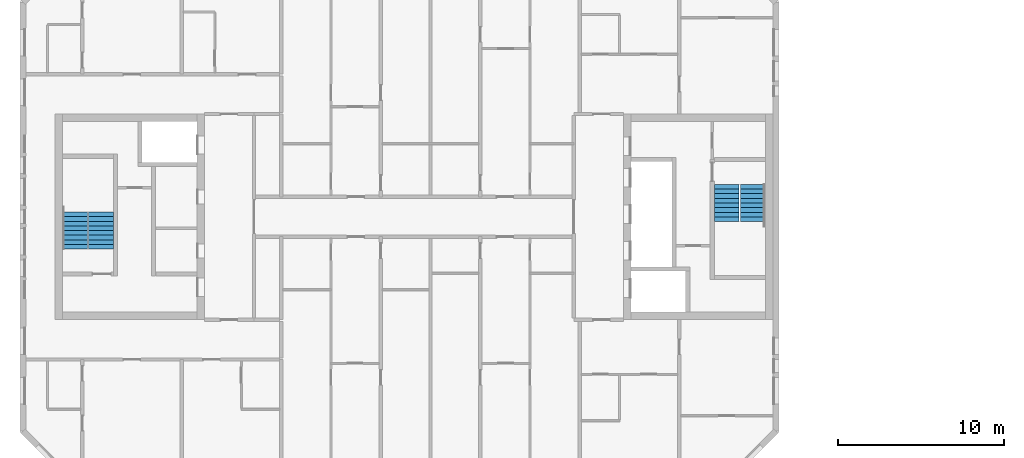
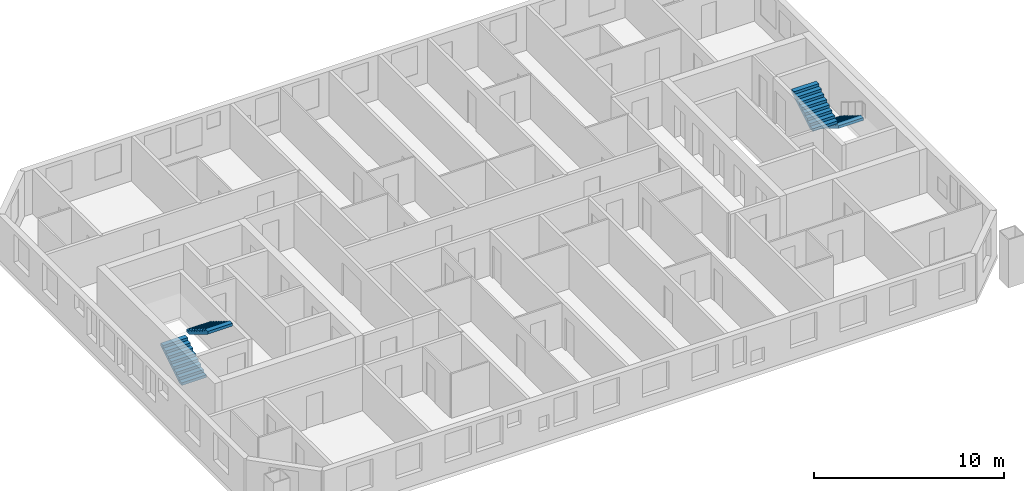
# One storey, part 14 of 15: 4 stair flights, 2 elements without a shape of their own.
"""IFC4 building model written with IfcOpenShell, lengths in metres."""

from ifc_helpers import new_model, si_unit, direction, frame, origin, place, context, subcontext, project, spatial, faceted_brep, material, type_object, element, aggregate, save


model = new_model("IFC4")

# Units and contexts
model_context = context("Model", 3, precision=1e-05, world=origin(), true_north=direction((0.0, 1.0)))
body_context = subcontext(model_context, "Body", "Model", "MODEL_VIEW")
ifc_project = project(units=[si_unit("LENGTHUNIT", "METRE"), si_unit("AREAUNIT", "SQUARE_METRE"), si_unit("VOLUMEUNIT", "CUBIC_METRE"), si_unit("PLANEANGLEUNIT", "RADIAN"), si_unit("MASSUNIT", "GRAM", prefix="KILO")], contexts=[model_context])

# Site, building, storey
site_placement = place(None, origin())
site = spatial("IfcSite", under=ifc_project, at=site_placement, CompositionType="ELEMENT")
building_placement = place(site_placement, origin())
building = spatial("IfcBuilding", under=site, at=building_placement, Name="Tuart Gate Housing", CompositionType="ELEMENT")
storey_placement = place(building_placement, frame((0.0, 0.0, 185.10009765625)))
storey = spatial("IfcBuildingStorey", under=building, at=storey_placement, Name="L52", CompositionType="ELEMENT", Elevation=185.10009765625)

# Stair, stair flights
ifc_material_1 = material(Name="Concrete C40", Category="concrete")
stair_type = type_object("IfcStairType", Name="Core stair 1500", PredefinedType="HALF_TURN_STAIR", material=ifc_material_1)
stair_1_placement = place(storey_placement, origin())
stair_1 = element("IfcStair", 1, at=stair_1_placement, inside=storey, type_object=stair_type, Name="Stair SA1", PredefinedType="HALF_TURN_STAIR")
ifc_material_2 = material(Name="Concrete C40", Category="concrete")
stair_flight_type = type_object("IfcStairFlightType", Name="Stair flight 1500, 9 risers 172 x 280", PredefinedType="STRAIGHT", material=ifc_material_2)
stair_flight_1_placement = place(storey_placement, frame((74.43994140625, 71.949951171875, 0.0), z_axis=(0.0, 0.0, 1.0), x_axis=(0.0, -1.0, 0.0)))
stair_flight_1 = element("IfcStairFlight", 2, at=stair_flight_1_placement, type_object=stair_flight_type, Name="SA1 flight 1", NumberOfRisers=9, NumberOfTreads=8, PredefinedType="STRAIGHT", RiserHeight=0.172222222, TreadLength=0.28, context=body_context, shape_type="Brep", body=[
    faceted_brep([(0.0, 0.75, 0.0), (0.0, 0.75, 0.172119140625), (0.280029296875, 0.75, 0.172119140625), (0.280029296875, 0.75, 0.344482421875), (0.56005859375, 0.75, 0.344482421875), (0.56005859375, 0.75, 0.5166015625), (0.840087890625, 0.75, 0.5166015625), (0.840087890625, 0.75, 0.68896484375), (1.1201171875, 0.75, 0.68896484375), (1.1201171875, 0.75, 0.861083984375), (1.39990234375, 0.75, 0.861083984375), (1.39990234375, 0.75, 1.033447265625), (1.679931640625, 0.75, 1.033447265625), (1.679931640625, 0.75, 1.20556640625), (1.9599609375, 0.75, 1.20556640625), (1.9599609375, 0.75, 1.377685546875), (2.239990234375, 0.75, 1.377685546875), (2.239990234375, 0.75, 1.201904296875), (0.2861328125, 0.75, 0.0), (0.2861328125, -0.75, 0.0), (2.239990234375, -0.75, 1.201904296875), (2.239990234375, -0.75, 1.377685546875), (1.9599609375, -0.75, 1.377685546875), (1.9599609375, -0.75, 1.20556640625), (1.679931640625, -0.75, 1.20556640625), (1.679931640625, -0.75, 1.033447265625), (1.39990234375, -0.75, 1.033447265625), (1.39990234375, -0.75, 0.861083984375), (1.1201171875, -0.75, 0.861083984375), (1.1201171875, -0.75, 0.68896484375), (0.840087890625, -0.75, 0.68896484375), (0.840087890625, -0.75, 0.5166015625), (0.56005859375, -0.75, 0.5166015625), (0.56005859375, -0.75, 0.344482421875), (0.280029296875, -0.75, 0.344482421875), (0.280029296875, -0.75, 0.172119140625), (0.0, -0.75, 0.172119140625), (0.0, -0.75, 0.0), (2.239990234375, 0.0, 1.201904296875), (0.2861328125, 0.0, 0.0), (2.239990234375, 0.0, 1.377685546875), (1.9599609375, 0.0, 1.377685546875), (1.9599609375, 0.0, 1.20556640625), (1.679931640625, 0.0, 1.20556640625), (1.679931640625, 0.0, 1.033447265625), (1.39990234375, 0.0, 1.033447265625), (1.39990234375, 0.0, 0.861083984375), (1.1201171875, 0.0, 0.861083984375), (1.1201171875, 0.0, 0.68896484375), (0.840087890625, 0.0, 0.68896484375), (0.840087890625, 0.0, 0.5166015625), (0.56005859375, 0.0, 0.5166015625), (0.56005859375, 0.0, 0.344482421875), (0.280029296875, 0.0, 0.344482421875), (0.280029296875, 0.0, 0.172119140625), (0.0, 0.0, 0.172119140625), (0.0, 0.0, 0.0)], [[[0, 1, 2, 3, 4, 5, 6, 7, 8, 9, 10, 11, 12, 13, 14, 15, 16, 17, 18]], [[19, 20, 21, 22, 23, 24, 25, 26, 27, 28, 29, 30, 31, 32, 33, 34, 35, 36, 37]], [[18, 17, 38, 39]], [[39, 38, 20, 19]], [[17, 16, 40, 38]], [[38, 40, 21, 20]], [[16, 15, 41, 40]], [[40, 41, 22, 21]], [[15, 14, 42, 41]], [[41, 42, 23, 22]], [[14, 13, 43, 42]], [[42, 43, 24, 23]], [[13, 12, 44, 43]], [[43, 44, 25, 24]], [[12, 11, 45, 44]], [[44, 45, 26, 25]], [[11, 10, 46, 45]], [[45, 46, 27, 26]], [[10, 9, 47, 46]], [[46, 47, 28, 27]], [[9, 8, 48, 47]], [[47, 48, 29, 28]], [[8, 7, 49, 48]], [[48, 49, 30, 29]], [[7, 6, 50, 49]], [[49, 50, 31, 30]], [[6, 5, 51, 50]], [[50, 51, 32, 31]], [[5, 4, 52, 51]], [[51, 52, 33, 32]], [[4, 3, 53, 52]], [[52, 53, 34, 33]], [[3, 2, 54, 53]], [[53, 54, 35, 34]], [[2, 1, 55, 54]], [[54, 55, 36, 35]], [[1, 0, 56, 55]], [[55, 56, 37, 36]], [[0, 18, 39, 56]], [[56, 39, 19, 37]]]),
])
stair_flight_2_placement = place(storey_placement, frame((72.864990234375, 69.7099609375, 1.5498046875), z_axis=(0.0, 0.0, 1.0), x_axis=(0.0, 1.0, 0.0)))
stair_flight_2 = element("IfcStairFlight", 3, at=stair_flight_2_placement, type_object=stair_flight_type, Name="SA1 flight 2", NumberOfRisers=9, NumberOfTreads=8, PredefinedType="STRAIGHT", RiserHeight=0.172222222, TreadLength=0.28, context=body_context, shape_type="Brep", body=[
    faceted_brep([(0.0, 0.75, 0.0), (0.0, 0.75, 0.172119140625), (0.280029296875, 0.75, 0.172119140625), (0.280029296875, 0.75, 0.344482421875), (0.56005859375, 0.75, 0.344482421875), (0.56005859375, 0.75, 0.5166015625), (0.840087890625, 0.75, 0.5166015625), (0.840087890625, 0.75, 0.68896484375), (1.1201171875, 0.75, 0.68896484375), (1.1201171875, 0.75, 0.861083984375), (1.39990234375, 0.75, 0.861083984375), (1.39990234375, 0.75, 1.033447265625), (1.679931640625, 0.75, 1.033447265625), (1.679931640625, 0.75, 1.20556640625), (1.9599609375, 0.75, 1.20556640625), (1.9599609375, 0.75, 1.377685546875), (2.239990234375, 0.75, 1.377685546875), (2.239990234375, 0.75, 1.201904296875), (0.2861328125, 0.75, 0.0), (0.2861328125, -0.75, 0.0), (2.239990234375, -0.75, 1.201904296875), (2.239990234375, -0.75, 1.377685546875), (1.9599609375, -0.75, 1.377685546875), (1.9599609375, -0.75, 1.20556640625), (1.679931640625, -0.75, 1.20556640625), (1.679931640625, -0.75, 1.033447265625), (1.39990234375, -0.75, 1.033447265625), (1.39990234375, -0.75, 0.861083984375), (1.1201171875, -0.75, 0.861083984375), (1.1201171875, -0.75, 0.68896484375), (0.840087890625, -0.75, 0.68896484375), (0.840087890625, -0.75, 0.5166015625), (0.56005859375, -0.75, 0.5166015625), (0.56005859375, -0.75, 0.344482421875), (0.280029296875, -0.75, 0.344482421875), (0.280029296875, -0.75, 0.172119140625), (0.0, -0.75, 0.172119140625), (0.0, -0.75, 0.0), (2.239990234375, 0.0, 1.201904296875), (0.2861328125, 0.0, 0.0), (2.239990234375, 0.0, 1.377685546875), (1.9599609375, 0.0, 1.377685546875), (1.9599609375, 0.0, 1.20556640625), (1.679931640625, 0.0, 1.20556640625), (1.679931640625, 0.0, 1.033447265625), (1.39990234375, 0.0, 1.033447265625), (1.39990234375, 0.0, 0.861083984375), (1.1201171875, 0.0, 0.861083984375), (1.1201171875, 0.0, 0.68896484375), (0.840087890625, 0.0, 0.68896484375), (0.840087890625, 0.0, 0.5166015625), (0.56005859375, 0.0, 0.5166015625), (0.56005859375, 0.0, 0.344482421875), (0.280029296875, 0.0, 0.344482421875), (0.280029296875, 0.0, 0.172119140625), (0.0, 0.0, 0.172119140625), (0.0, 0.0, 0.0)], [[[0, 1, 2, 3, 4, 5, 6, 7, 8, 9, 10, 11, 12, 13, 14, 15, 16, 17, 18]], [[19, 20, 21, 22, 23, 24, 25, 26, 27, 28, 29, 30, 31, 32, 33, 34, 35, 36, 37]], [[18, 17, 38, 39]], [[39, 38, 20, 19]], [[17, 16, 40, 38]], [[38, 40, 21, 20]], [[16, 15, 41, 40]], [[40, 41, 22, 21]], [[15, 14, 42, 41]], [[41, 42, 23, 22]], [[14, 13, 43, 42]], [[42, 43, 24, 23]], [[13, 12, 44, 43]], [[43, 44, 25, 24]], [[12, 11, 45, 44]], [[44, 45, 26, 25]], [[11, 10, 46, 45]], [[45, 46, 27, 26]], [[10, 9, 47, 46]], [[46, 47, 28, 27]], [[9, 8, 48, 47]], [[47, 48, 29, 28]], [[8, 7, 49, 48]], [[48, 49, 30, 29]], [[7, 6, 50, 49]], [[49, 50, 31, 30]], [[6, 5, 51, 50]], [[50, 51, 32, 31]], [[5, 4, 52, 51]], [[51, 52, 33, 32]], [[4, 3, 53, 52]], [[52, 53, 34, 33]], [[3, 2, 54, 53]], [[53, 54, 35, 34]], [[2, 1, 55, 54]], [[54, 55, 36, 35]], [[1, 0, 56, 55]], [[55, 56, 37, 36]], [[0, 18, 39, 56]], [[56, 39, 19, 37]]]),
])
aggregate(stair_1, [stair_flight_1, stair_flight_2])

stair_2_placement = place(storey_placement, origin())
stair_2 = element("IfcStair", 4, at=stair_2_placement, inside=storey, type_object=stair_type, Name="Stair SA2", PredefinedType="HALF_TURN_STAIR")
stair_flight_3_placement = place(storey_placement, frame((33.56005859375, 68.050048828125, 0.0), z_axis=(0.0, 0.0, 1.0), x_axis=(0.0, 1.0, 0.0)))
stair_flight_3 = element("IfcStairFlight", 5, at=stair_flight_3_placement, type_object=stair_flight_type, Name="SA2 flight 1", NumberOfRisers=9, NumberOfTreads=8, PredefinedType="STRAIGHT", RiserHeight=0.172222222, TreadLength=0.28, context=body_context, shape_type="Brep", body=[
    faceted_brep([(0.0, 0.75, 0.0), (0.0, 0.75, 0.172119140625), (0.280029296875, 0.75, 0.172119140625), (0.280029296875, 0.75, 0.344482421875), (0.56005859375, 0.75, 0.344482421875), (0.56005859375, 0.75, 0.5166015625), (0.840087890625, 0.75, 0.5166015625), (0.840087890625, 0.75, 0.68896484375), (1.1201171875, 0.75, 0.68896484375), (1.1201171875, 0.75, 0.861083984375), (1.39990234375, 0.75, 0.861083984375), (1.39990234375, 0.75, 1.033447265625), (1.679931640625, 0.75, 1.033447265625), (1.679931640625, 0.75, 1.20556640625), (1.9599609375, 0.75, 1.20556640625), (1.9599609375, 0.75, 1.377685546875), (2.239990234375, 0.75, 1.377685546875), (2.239990234375, 0.75, 1.201904296875), (0.2861328125, 0.75, 0.0), (0.2861328125, -0.75, 0.0), (2.239990234375, -0.75, 1.201904296875), (2.239990234375, -0.75, 1.377685546875), (1.9599609375, -0.75, 1.377685546875), (1.9599609375, -0.75, 1.20556640625), (1.679931640625, -0.75, 1.20556640625), (1.679931640625, -0.75, 1.033447265625), (1.39990234375, -0.75, 1.033447265625), (1.39990234375, -0.75, 0.861083984375), (1.1201171875, -0.75, 0.861083984375), (1.1201171875, -0.75, 0.68896484375), (0.840087890625, -0.75, 0.68896484375), (0.840087890625, -0.75, 0.5166015625), (0.56005859375, -0.75, 0.5166015625), (0.56005859375, -0.75, 0.344482421875), (0.280029296875, -0.75, 0.344482421875), (0.280029296875, -0.75, 0.172119140625), (0.0, -0.75, 0.172119140625), (0.0, -0.75, 0.0), (2.239990234375, 0.0, 1.201904296875), (0.2861328125, 0.0, 0.0), (2.239990234375, 0.0, 1.377685546875), (1.9599609375, 0.0, 1.377685546875), (1.9599609375, 0.0, 1.20556640625), (1.679931640625, 0.0, 1.20556640625), (1.679931640625, 0.0, 1.033447265625), (1.39990234375, 0.0, 1.033447265625), (1.39990234375, 0.0, 0.861083984375), (1.1201171875, 0.0, 0.861083984375), (1.1201171875, 0.0, 0.68896484375), (0.840087890625, 0.0, 0.68896484375), (0.840087890625, 0.0, 0.5166015625), (0.56005859375, 0.0, 0.5166015625), (0.56005859375, 0.0, 0.344482421875), (0.280029296875, 0.0, 0.344482421875), (0.280029296875, 0.0, 0.172119140625), (0.0, 0.0, 0.172119140625), (0.0, 0.0, 0.0)], [[[0, 1, 2, 3, 4, 5, 6, 7, 8, 9, 10, 11, 12, 13, 14, 15, 16, 17, 18]], [[19, 20, 21, 22, 23, 24, 25, 26, 27, 28, 29, 30, 31, 32, 33, 34, 35, 36, 37]], [[18, 17, 38, 39]], [[39, 38, 20, 19]], [[17, 16, 40, 38]], [[38, 40, 21, 20]], [[16, 15, 41, 40]], [[40, 41, 22, 21]], [[15, 14, 42, 41]], [[41, 42, 23, 22]], [[14, 13, 43, 42]], [[42, 43, 24, 23]], [[13, 12, 44, 43]], [[43, 44, 25, 24]], [[12, 11, 45, 44]], [[44, 45, 26, 25]], [[11, 10, 46, 45]], [[45, 46, 27, 26]], [[10, 9, 47, 46]], [[46, 47, 28, 27]], [[9, 8, 48, 47]], [[47, 48, 29, 28]], [[8, 7, 49, 48]], [[48, 49, 30, 29]], [[7, 6, 50, 49]], [[49, 50, 31, 30]], [[6, 5, 51, 50]], [[50, 51, 32, 31]], [[5, 4, 52, 51]], [[51, 52, 33, 32]], [[4, 3, 53, 52]], [[52, 53, 34, 33]], [[3, 2, 54, 53]], [[53, 54, 35, 34]], [[2, 1, 55, 54]], [[54, 55, 36, 35]], [[1, 0, 56, 55]], [[55, 56, 37, 36]], [[0, 18, 39, 56]], [[56, 39, 19, 37]]]),
])
stair_flight_4_placement = place(storey_placement, frame((35.135009765625, 70.2900390625, 1.5498046875), z_axis=(0.0, 0.0, 1.0), x_axis=(0.0, -1.0, 0.0)))
stair_flight_4 = element("IfcStairFlight", 6, at=stair_flight_4_placement, type_object=stair_flight_type, Name="SA2 flight 2", NumberOfRisers=9, NumberOfTreads=8, PredefinedType="STRAIGHT", RiserHeight=0.172222222, TreadLength=0.28, context=body_context, shape_type="Brep", body=[
    faceted_brep([(0.0, 0.75, 0.0), (0.0, 0.75, 0.172119140625), (0.280029296875, 0.75, 0.172119140625), (0.280029296875, 0.75, 0.344482421875), (0.56005859375, 0.75, 0.344482421875), (0.56005859375, 0.75, 0.5166015625), (0.840087890625, 0.75, 0.5166015625), (0.840087890625, 0.75, 0.68896484375), (1.1201171875, 0.75, 0.68896484375), (1.1201171875, 0.75, 0.861083984375), (1.39990234375, 0.75, 0.861083984375), (1.39990234375, 0.75, 1.033447265625), (1.679931640625, 0.75, 1.033447265625), (1.679931640625, 0.75, 1.20556640625), (1.9599609375, 0.75, 1.20556640625), (1.9599609375, 0.75, 1.377685546875), (2.239990234375, 0.75, 1.377685546875), (2.239990234375, 0.75, 1.201904296875), (0.2861328125, 0.75, 0.0), (0.2861328125, -0.75, 0.0), (2.239990234375, -0.75, 1.201904296875), (2.239990234375, -0.75, 1.377685546875), (1.9599609375, -0.75, 1.377685546875), (1.9599609375, -0.75, 1.20556640625), (1.679931640625, -0.75, 1.20556640625), (1.679931640625, -0.75, 1.033447265625), (1.39990234375, -0.75, 1.033447265625), (1.39990234375, -0.75, 0.861083984375), (1.1201171875, -0.75, 0.861083984375), (1.1201171875, -0.75, 0.68896484375), (0.840087890625, -0.75, 0.68896484375), (0.840087890625, -0.75, 0.5166015625), (0.56005859375, -0.75, 0.5166015625), (0.56005859375, -0.75, 0.344482421875), (0.280029296875, -0.75, 0.344482421875), (0.280029296875, -0.75, 0.172119140625), (0.0, -0.75, 0.172119140625), (0.0, -0.75, 0.0), (2.239990234375, 0.0, 1.201904296875), (0.2861328125, 0.0, 0.0), (2.239990234375, 0.0, 1.377685546875), (1.9599609375, 0.0, 1.377685546875), (1.9599609375, 0.0, 1.20556640625), (1.679931640625, 0.0, 1.20556640625), (1.679931640625, 0.0, 1.033447265625), (1.39990234375, 0.0, 1.033447265625), (1.39990234375, 0.0, 0.861083984375), (1.1201171875, 0.0, 0.861083984375), (1.1201171875, 0.0, 0.68896484375), (0.840087890625, 0.0, 0.68896484375), (0.840087890625, 0.0, 0.5166015625), (0.56005859375, 0.0, 0.5166015625), (0.56005859375, 0.0, 0.344482421875), (0.280029296875, 0.0, 0.344482421875), (0.280029296875, 0.0, 0.172119140625), (0.0, 0.0, 0.172119140625), (0.0, 0.0, 0.0)], [[[0, 1, 2, 3, 4, 5, 6, 7, 8, 9, 10, 11, 12, 13, 14, 15, 16, 17, 18]], [[19, 20, 21, 22, 23, 24, 25, 26, 27, 28, 29, 30, 31, 32, 33, 34, 35, 36, 37]], [[18, 17, 38, 39]], [[39, 38, 20, 19]], [[17, 16, 40, 38]], [[38, 40, 21, 20]], [[16, 15, 41, 40]], [[40, 41, 22, 21]], [[15, 14, 42, 41]], [[41, 42, 23, 22]], [[14, 13, 43, 42]], [[42, 43, 24, 23]], [[13, 12, 44, 43]], [[43, 44, 25, 24]], [[12, 11, 45, 44]], [[44, 45, 26, 25]], [[11, 10, 46, 45]], [[45, 46, 27, 26]], [[10, 9, 47, 46]], [[46, 47, 28, 27]], [[9, 8, 48, 47]], [[47, 48, 29, 28]], [[8, 7, 49, 48]], [[48, 49, 30, 29]], [[7, 6, 50, 49]], [[49, 50, 31, 30]], [[6, 5, 51, 50]], [[50, 51, 32, 31]], [[5, 4, 52, 51]], [[51, 52, 33, 32]], [[4, 3, 53, 52]], [[52, 53, 34, 33]], [[3, 2, 54, 53]], [[53, 54, 35, 34]], [[2, 1, 55, 54]], [[54, 55, 36, 35]], [[1, 0, 56, 55]], [[55, 56, 37, 36]], [[0, 18, 39, 56]], [[56, 39, 19, 37]]]),
])
aggregate(stair_2, [stair_flight_3, stair_flight_4])

save(model, "model.ifc")
